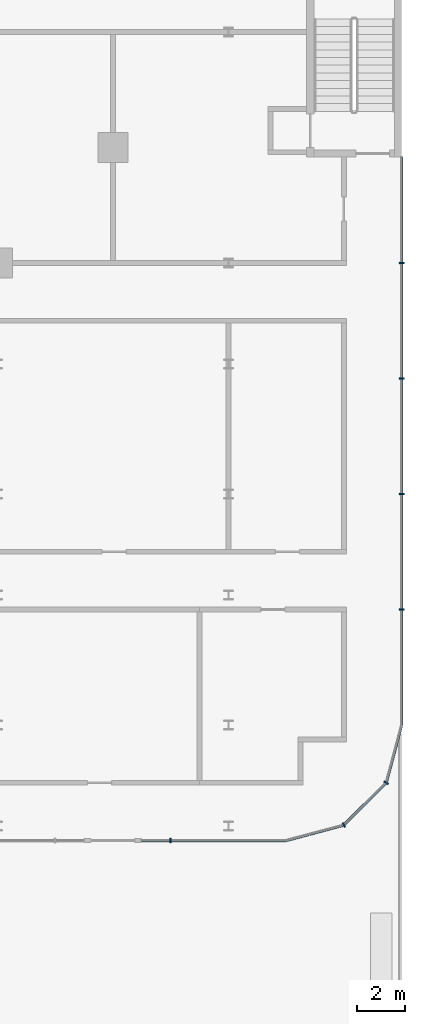
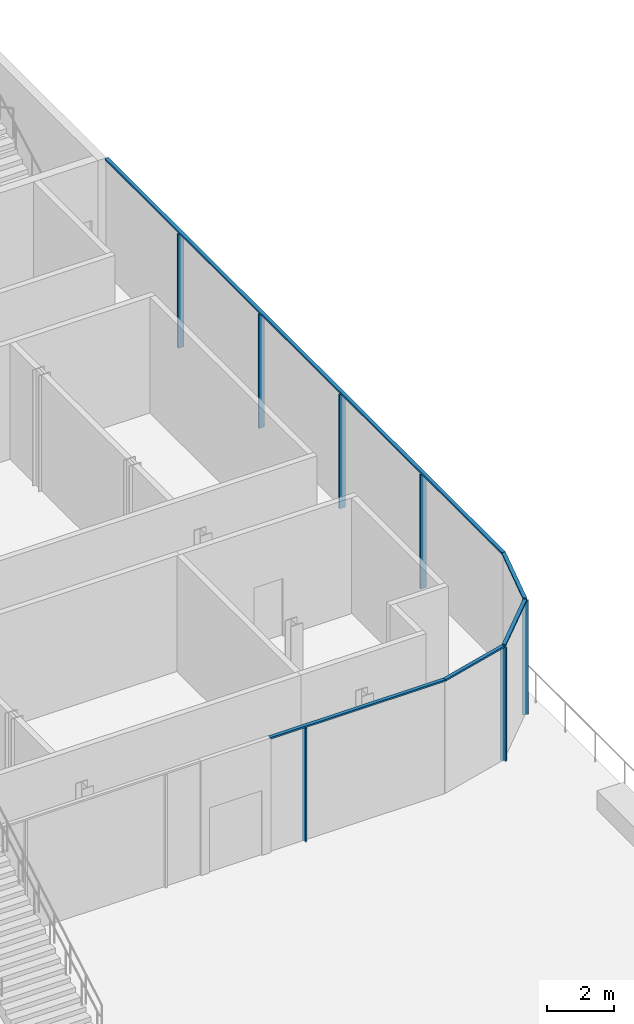
# One storey, part 11 of 43: 12 members, 3 elements without a shape of their own.
"""IFC4 building model written with IfcOpenShell, lengths in metres."""

from ifc_helpers import new_model, si_unit, direction, frame, origin, origin_2d, place, context, subcontext, project, spatial, rectangle, extrude, material, layer, layer_set, material_profile, profile_set, type_object, element, aggregate, save


model = new_model("IFC4")

# Units and contexts
model_context = context("Model", 3, precision=1e-05, world=origin(), true_north=direction((0.0, 1.0)))
body_context = subcontext(model_context, "Body", "Model", "MODEL_VIEW")
ifc_project = project(units=[si_unit("LENGTHUNIT", "METRE"), si_unit("AREAUNIT", "SQUARE_METRE"), si_unit("VOLUMEUNIT", "CUBIC_METRE"), si_unit("PLANEANGLEUNIT", "RADIAN"), si_unit("MASSUNIT", "GRAM", prefix="KILO")], contexts=[model_context])

# Site, building, storey
site_placement = place(None, origin())
site = spatial("IfcSite", under=ifc_project, at=site_placement, CompositionType="ELEMENT")
building_placement = place(site_placement, origin())
building = spatial("IfcBuilding", under=site, at=building_placement, Name="Madar Terraces", CompositionType="ELEMENT")
storey_placement = place(building_placement, frame((0.0, 0.0, 10.5)))
storey = spatial("IfcBuildingStorey", under=building, at=storey_placement, Name="L02", CompositionType="ELEMENT", Elevation=10.5)

# Curtain wall, member
ifc_material_1 = material(Name="Glass, clear low-iron, with black aluminium frame", Category="aluminium")
ifc_layer = layer(ifc_material_1, 0.199951171875)
ifc_layer_set = layer_set([ifc_layer], Name="Facade curtain wall, shopfront glazing")
curtain_wall_type = type_object("IfcCurtainWallType", Name="Facade curtain wall, shopfront glazing", PredefinedType="NOTDEFINED", material=ifc_layer_set)
curtain_wall_1_placement = place(storey_placement, origin())
curtain_wall_1 = element("IfcCurtainWall", 1, at=curtain_wall_1_placement, inside=storey, type_object=curtain_wall_type, Name="Outer skin curtain wall south bay 1", PredefinedType="NOTDEFINED")
ifc_material_2 = material(Name="Aluminium, black anodised", Category="aluminium")
ifc_material_profile_1 = material_profile(ifc_material_2, rectangle(XDim=0.199951171875, YDim=0.06005859375, at=origin_2d()), Name="Facade mullion 60x200")
ifc_profile_set_1 = profile_set([ifc_material_profile_1], Name="Aluminium, black anodised")
member_type_1 = type_object("IfcMemberType", Name="Facade mullion 60x200", PredefinedType="MULLION", material=ifc_profile_set_1)
member_1_placement = place(storey_placement, frame((60.0, -24.0, 0.0), z_axis=(0.0, 0.0, 1.0), x_axis=(0.0, 1.0, 0.0)))
member_1 = element("IfcMember", 2, at=member_1_placement, type_object=member_type_1, Name="Mullion 13", PredefinedType="MULLION", context=body_context, shape_type="SweptSolid", body=[
    extrude(rectangle(XDim=0.199951171875, YDim=0.06005859375, at=origin_2d()), origin(), (0.0, 0.0, 1.0), 4.139892578125),
])

# Curtain wall, members
curtain_wall_2_placement = place(storey_placement, origin())
curtain_wall_2 = element("IfcCurtainWall", 3, at=curtain_wall_2_placement, inside=storey, type_object=curtain_wall_type, Name="Outer skin curtain wall east bay 1", PredefinedType="NOTDEFINED")
member_2_placement = place(storey_placement, frame((69.60009765625, -14.39990234375, 0.0), z_axis=(0.0, 0.0, 1.0), x_axis=(-1.0, 0.0, 0.0)))
member_2 = element("IfcMember", 4, at=member_2_placement, type_object=member_type_1, Name="Mullion 1", PredefinedType="MULLION", context=body_context, shape_type="SweptSolid", body=[
    extrude(rectangle(XDim=0.199951171875, YDim=0.06005859375, at=origin_2d()), origin(), (0.0, 0.0, 1.0), 4.139892578125),
])
member_3_placement = place(storey_placement, frame((69.60009765625, -9.60009765625, 0.0), z_axis=(0.0, 0.0, 1.0), x_axis=(-1.0, 0.0, 0.0)))
member_3 = element("IfcMember", 5, at=member_3_placement, type_object=member_type_1, Name="Mullion 2", PredefinedType="MULLION", context=body_context, shape_type="SweptSolid", body=[
    extrude(rectangle(XDim=0.199951171875, YDim=0.06005859375, at=origin_2d()), origin(), (0.0, 0.0, 1.0), 4.139892578125),
])
member_4_placement = place(storey_placement, frame((69.60009765625, -4.800048828125, 0.0), z_axis=(0.0, 0.0, 1.0), x_axis=(-1.0, 0.0, 0.0)))
member_4 = element("IfcMember", 6, at=member_4_placement, type_object=member_type_1, Name="Mullion 3", PredefinedType="MULLION", context=body_context, shape_type="SweptSolid", body=[
    extrude(rectangle(XDim=0.199951171875, YDim=0.06005859375, at=origin_2d()), origin(), (0.0, 0.0, 1.0), 4.139892578125),
])
member_5_placement = place(storey_placement, frame((69.60009765625, 0.0, 0.0), z_axis=(0.0, 0.0, 1.0), x_axis=(-1.0, 0.0, 0.0)))
member_5 = element("IfcMember", 7, at=member_5_placement, type_object=member_type_1, Name="Mullion 4", PredefinedType="MULLION", context=body_context, shape_type="SweptSolid", body=[
    extrude(rectangle(XDim=0.199951171875, YDim=0.06005859375, at=origin_2d()), origin(), (0.0, 0.0, 1.0), 4.139892578125),
])

curtain_wall_3_placement = place(storey_placement, origin())
curtain_wall_3 = element("IfcCurtainWall", 8, at=curtain_wall_3_placement, inside=storey, type_object=curtain_wall_type, Name="Outer skin curtain wall south-east corner", PredefinedType="NOTDEFINED")
member_6_placement = place(storey_placement, frame((67.199951171875, -23.35693359375, 0.0), z_axis=(0.0, 0.0, 1.0), x_axis=(-0.499999989586, 0.866025409797, 0.0)))
member_6 = element("IfcMember", 9, at=member_6_placement, type_object=member_type_1, Name="Mullion 1", PredefinedType="MULLION", context=body_context, shape_type="SweptSolid", body=[
    extrude(rectangle(XDim=0.199951171875, YDim=0.06005859375, at=origin_2d()), origin(), (0.0, 0.0, 1.0), 4.139892578125),
])
member_7_placement = place(storey_placement, frame((68.95703125, -21.60009765625, 0.0), z_axis=(0.0, 0.0, 1.0), x_axis=(-0.866025409797, 0.499999989586, 0.0)))
member_7 = element("IfcMember", 10, at=member_7_placement, type_object=member_type_1, Name="Mullion 2", PredefinedType="MULLION", context=body_context, shape_type="SweptSolid", body=[
    extrude(rectangle(XDim=0.199951171875, YDim=0.06005859375, at=origin_2d()), origin(), (0.0, 0.0, 1.0), 4.139892578125),
])

# Member
ifc_material_3 = material(Name="Aluminium, black anodised", Category="aluminium")
ifc_material_profile_2 = material_profile(ifc_material_3, rectangle(XDim=0.1201171875, YDim=0.06005859375, at=origin_2d()), Name="Facade transom 60x120")
ifc_profile_set_2 = profile_set([ifc_material_profile_2], Name="Aluminium, black anodised")
member_type_2 = type_object("IfcMemberType", Name="Facade transom 60x120", PredefinedType="USERDEFINED", material=ifc_profile_set_2)
member_8_placement = place(storey_placement, frame((58.800048828125, -24.0, 4.169921875), z_axis=(1.0, 0.0, 0.0), x_axis=(0.0, 1.0, 0.0)))
member_8 = element("IfcMember", 11, at=member_8_placement, type_object=member_type_2, Name="Transom 4", ObjectType="TRANSOM", PredefinedType="USERDEFINED", context=body_context, shape_type="SweptSolid", body=[
    extrude(rectangle(XDim=0.1201171875, YDim=0.06005859375, at=origin_2d()), origin(), (0.0, 0.0, 1.0), 6.0),
])

aggregate(curtain_wall_1, [member_1, member_8])

member_9_placement = place(storey_placement, frame((69.60009765625, -19.199951171875, 4.169921875), z_axis=(0.0, 1.0, 0.0), x_axis=(-1.0, 0.0, 0.0)))
member_9 = element("IfcMember", 12, at=member_9_placement, type_object=member_type_2, Name="Transom 1", ObjectType="TRANSOM", PredefinedType="USERDEFINED", context=body_context, shape_type="SweptSolid", body=[
    extrude(rectangle(XDim=0.1201171875, YDim=0.06005859375, at=origin_2d()), origin(), (0.0, 0.0, 1.0), 23.599853515625),
])

aggregate(curtain_wall_2, [member_2, member_3, member_4, member_5, member_9])

member_10_placement = place(storey_placement, frame((64.800048828125, -24.0, 4.169921875), z_axis=(0.965933846022, 0.258789113195, 0.0), x_axis=(-0.258789113195, 0.965933846022, 0.0)))
member_10 = element("IfcMember", 13, at=member_10_placement, type_object=member_type_2, Name="Transom 1", ObjectType="TRANSOM", PredefinedType="USERDEFINED", context=body_context, shape_type="SweptSolid", body=[
    extrude(rectangle(XDim=0.1201171875, YDim=0.06005859375, at=origin_2d()), origin(), (0.0, 0.0, 1.0), 2.454833984375),
])

member_11_placement = place(storey_placement, frame((67.22119140625, -23.335693359375, 4.169921875), z_axis=(0.707106781187, 0.707106781187, 0.0), x_axis=(-0.707106781187, 0.707106781187, 0.0)))
member_11 = element("IfcMember", 14, at=member_11_placement, type_object=member_type_2, Name="Transom 2", ObjectType="TRANSOM", PredefinedType="USERDEFINED", context=body_context, shape_type="SweptSolid", body=[
    extrude(rectangle(XDim=0.1201171875, YDim=0.06005859375, at=origin_2d()), origin(), (0.0, 0.0, 1.0), 2.4248046875),
])

member_12_placement = place(storey_placement, frame((68.964599609375, -21.571044921875, 4.169921875), z_axis=(0.258881906514, 0.965908980432, 0.0), x_axis=(-0.965908980432, 0.258881906514, 0.0)))
member_12 = element("IfcMember", 15, at=member_12_placement, type_object=member_type_2, Name="Transom 3", ObjectType="TRANSOM", PredefinedType="USERDEFINED", context=body_context, shape_type="SweptSolid", body=[
    extrude(rectangle(XDim=0.1201171875, YDim=0.06005859375, at=origin_2d()), origin(), (0.0, 0.0, 1.0), 2.454833984375),
])

aggregate(curtain_wall_3, [member_6, member_10, member_7, member_11, member_12])

save(model, "model.ifc")
